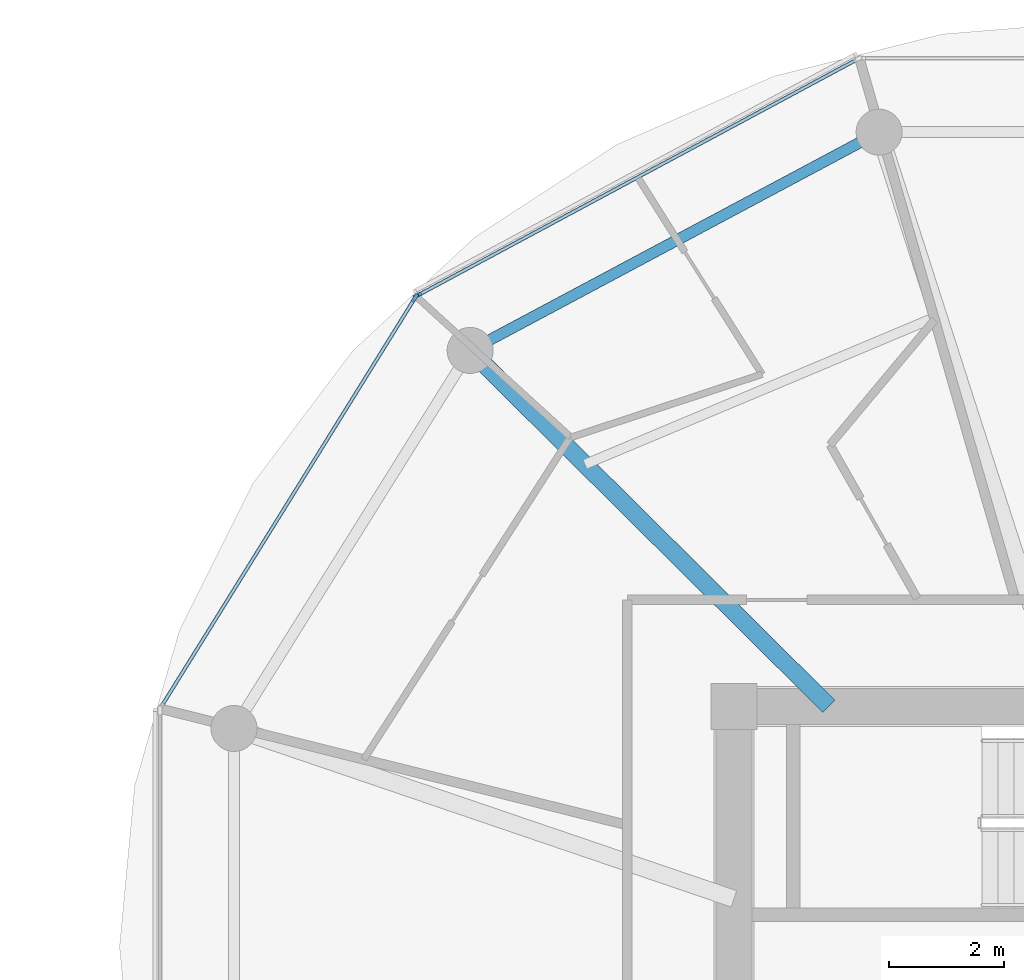
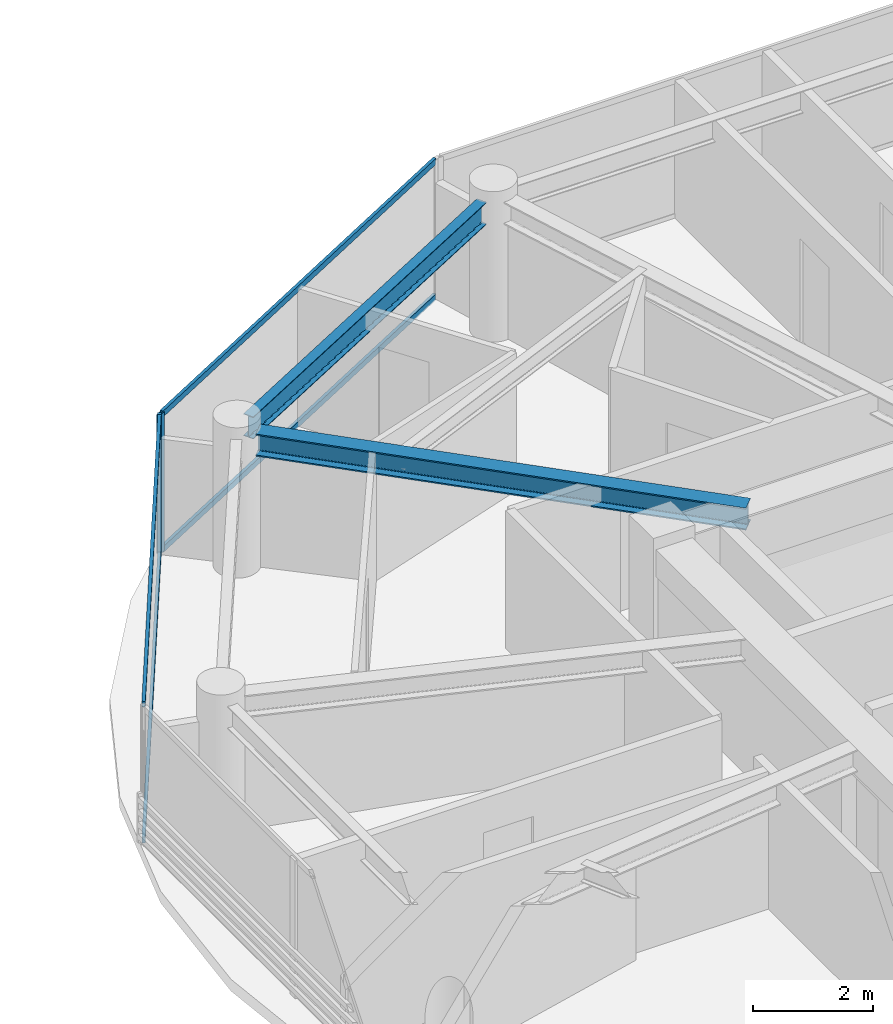
# One storey, part 8 of 23: 6 members, 2 beams, 2 elements without a shape of their own.
"""IFC4 building model written with IfcOpenShell, lengths in metres."""

from ifc_helpers import new_model, si_unit, direction, frame, origin, origin_2d, place, context, subcontext, project, spatial, rectangle, i_section, extrude, source, transform, mapped, material, layer, layer_set, material_profile, profile_set, type_object, type_shapes, element, aggregate, save


model = new_model("IFC4")

# Units and contexts
model_context = context("Model", 3, precision=1e-05, world=origin(), true_north=direction((0.0, 1.0)))
body_context = subcontext(model_context, "Body", "Model", "MODEL_VIEW")
ifc_project = project(units=[si_unit("LENGTHUNIT", "METRE"), si_unit("AREAUNIT", "SQUARE_METRE"), si_unit("VOLUMEUNIT", "CUBIC_METRE"), si_unit("PLANEANGLEUNIT", "RADIAN"), si_unit("MASSUNIT", "GRAM", prefix="KILO")], contexts=[model_context])

# Site, building, storey
site_placement = place(None, origin())
site = spatial("IfcSite", under=ifc_project, at=site_placement, CompositionType="ELEMENT")
building_placement = place(site_placement, origin())
building = spatial("IfcBuilding", under=site, at=building_placement, Name="Norrkilde Senior Care Towers", CompositionType="ELEMENT")
storey_placement = place(building_placement, frame((0.0, 0.0, 158.699951171875)))
storey = spatial("IfcBuildingStorey", under=building, at=storey_placement, Name="L49", CompositionType="ELEMENT", Elevation=158.699951171875)

# Beams
ifc_material_1 = material(Name="Steel S355", Category="steel")
ifc_material_profile_1 = material_profile(ifc_material_1, i_section(OverallWidth=0.18994140625, OverallDepth=0.449951171875, WebThickness=0.009521484375, FlangeThickness=0.0146484375, FilletRadius=0.02099609375, at=origin_2d()), Name="IPE 450")
ifc_profile_set_1 = profile_set([ifc_material_profile_1], Name="Steel S355")
beam_type_1 = type_object("IfcBeamType", Name="Perimeter Ring Spandrel Z3 IPE450", PredefinedType="SPANDREL", material=ifc_profile_set_1)
shared_shape_1 = source(origin(), body_context, "Body", "SweptSolid", [
    extrude(i_section(OverallWidth=0.18994140625, OverallDepth=0.449951171875, WebThickness=0.009521484375, FlangeThickness=0.0146484375, FilletRadius=0.02099609375, at=origin_2d()), origin(), (0.0, 0.0, 1.0), 7.333740234375),
])
type_shapes(beam_type_1, [shared_shape_1])
beam_1_placement = place(storey_placement, frame((22.55517578125, 15.756591796875, 2.5849609375), z_axis=(-0.882247866069, -0.470785198172, 0.0), x_axis=(0.470785198172, -0.882247866069, 0.0)))
element("IfcBeam", 1, at=beam_1_placement, inside=storey, type_object=beam_type_1, Name="L49 Drum E Perimeter Spandrel 04", PredefinedType="SPANDREL", context=body_context, shape_type="MappedRepresentation", body=[
    mapped(shared_shape_1, transform((0.0, 0.0, 0.0), x_axis=(1.0, 0.0, 0.0), y_axis=(0.0, 1.0, 0.0), z_axis=(0.0, 0.0, 1.0), scale=1.0)),
])
ifc_material_profile_2 = material_profile(ifc_material_1, i_section(OverallWidth=0.300048828125, OverallDepth=0.449951171875, WebThickness=0.013916015625, FlangeThickness=0.02587890625, FilletRadius=0.027099609375, at=origin_2d()), Name="HEB 450")
ifc_profile_set_2 = profile_set([ifc_material_profile_2], Name="Steel S355")
beam_type_2 = type_object("IfcBeamType", Name="Radial Floor Beam Z3 HEB450", PredefinedType="BEAM", material=ifc_profile_set_2)
shared_shape_2 = source(origin(), body_context, "Body", "SweptSolid", [
    extrude(i_section(OverallWidth=0.300048828125, OverallDepth=0.449951171875, WebThickness=0.013916015625, FlangeThickness=0.02587890625, FilletRadius=0.027099609375, at=origin_2d()), origin(), (0.0, 0.0, 1.0), 8.421630859375),
])
type_shapes(beam_type_2, [shared_shape_2])
beam_2_placement = place(storey_placement, frame((22.001953125, 5.949951171875, 2.5849609375), z_axis=(-0.709956495972, 0.704245535184, 0.0), x_axis=(-0.704245535184, -0.709956495972, 0.0)))
element("IfcBeam", 2, at=beam_2_placement, inside=storey, type_object=beam_type_2, Name="L49 Drum E Radial Floor Beam 05", PredefinedType="BEAM", context=body_context, shape_type="MappedRepresentation", body=[
    mapped(shared_shape_2, transform((0.0, 0.0, 0.0), x_axis=(1.0, 0.0, 0.0), y_axis=(0.0, 1.0, 0.0), z_axis=(0.0, 0.0, 1.0), scale=1.0)),
])

# Curtain wall, member
ifc_material_2 = material(Name="Triple Low-E Insulated Glazing", Category="glass")
ifc_layer = layer(ifc_material_2, 0.18994140625)
ifc_layer_set = layer_set([ifc_layer], Name="Triple Low-E Insulated Glazing")
curtain_wall_type = type_object("IfcCurtainWallType", Name="CW4 Zone 3 Senior Residence Curtain Wall", PredefinedType="NOTDEFINED", material=ifc_layer_set)
curtain_wall_1_placement = place(storey_placement, origin())
curtain_wall_1 = element("IfcCurtainWall", 3, at=curtain_wall_1_placement, inside=storey, type_object=curtain_wall_type, Name="L49 Drum E Curtain Wall 03", PredefinedType="NOTDEFINED")
ifc_material_3 = material(Name="Anodised Aluminium", Category="aluminium")
ifc_material_profile_3 = material_profile(ifc_material_3, rectangle(XDim=0.06494140625, YDim=0.14990234375, at=origin_2d()), Name="ALU MULL 65x150")
ifc_profile_set_3 = profile_set([ifc_material_profile_3], Name="Anodised Aluminium")
member_type_1 = type_object("IfcMemberType", Name="Curtain Wall Mullion Z3-Z4 65x150", PredefinedType="MULLION", material=ifc_profile_set_3)
shared_shape_3 = source(origin(), body_context, "Body", "SweptSolid", [
    extrude(rectangle(XDim=0.06494140625, YDim=0.14990234375, at=origin_2d()), origin(), (0.0, 0.0, 1.0), 2.81005859375),
])
type_shapes(member_type_1, [shared_shape_3])
member_1_placement = place(storey_placement, frame((14.85546875, 13.09033203125, 0.0), z_axis=(0.0, 0.0, 1.0), x_axis=(-0.47311715104, 0.880999524059, 0.0)))
member_1 = element("IfcMember", 4, at=member_1_placement, type_object=member_type_1, Name="CW-4 mullion 1", PredefinedType="MULLION", context=body_context, shape_type="MappedRepresentation", body=[
    mapped(shared_shape_3, transform((0.0, 0.0, 0.0), x_axis=(1.0, 0.0, 0.0), y_axis=(0.0, 1.0, 0.0), z_axis=(0.0, 0.0, 1.0), scale=1.0)),
])

# Curtain wall, members
curtain_wall_2_placement = place(storey_placement, origin())
curtain_wall_2 = element("IfcCurtainWall", 5, at=curtain_wall_2_placement, inside=storey, type_object=curtain_wall_type, Name="L49 Drum E Curtain Wall 04", PredefinedType="NOTDEFINED")
member_2_placement = place(storey_placement, frame((14.809814453125, 13.04736328125, 0.0), z_axis=(0.0, 0.0, 1.0), x_axis=(-0.84963405474, 0.52737270789, 0.0)))
member_2 = element("IfcMember", 6, at=member_2_placement, type_object=member_type_1, Name="CW-4 mullion 2", PredefinedType="MULLION", context=body_context, shape_type="MappedRepresentation", body=[
    mapped(shared_shape_3, transform((0.0, 0.0, 0.0), x_axis=(1.0, 0.0, 0.0), y_axis=(0.0, 1.0, 0.0), z_axis=(0.0, 0.0, 1.0), scale=1.0)),
])
ifc_material_profile_4 = material_profile(ifc_material_3, rectangle(XDim=0.06005859375, YDim=0.1201171875, at=origin_2d()), Name="ALU TRAN 60x120")
ifc_profile_set_4 = profile_set([ifc_material_profile_4], Name="Anodised Aluminium")
member_type_2 = type_object("IfcMemberType", Name="Curtain Wall Transom Typical 60x120", PredefinedType="USERDEFINED", material=ifc_profile_set_4)
shared_shape_4 = source(origin(), body_context, "Body", "SweptSolid", [
    extrude(rectangle(XDim=0.06005859375, YDim=0.1201171875, at=origin_2d()), origin(), (0.0, 0.0, 1.0), 8.301513671875),
])
member_3_placement = place(storey_placement, frame((10.414794921875, 5.966552734375, 0.030029296875), z_axis=(0.527368718394, 0.849636531029, 0.0), x_axis=(-0.849636531029, 0.527368718394, 0.0)))
member_3 = element("IfcMember", 7, at=member_3_placement, type_object=member_type_2, Name="CW-4 transom 1.1", ObjectType="TRANSOM", PredefinedType="USERDEFINED", context=body_context, shape_type="MappedRepresentation", body=[
    mapped(shared_shape_4, transform((0.0, 0.0, 0.0), x_axis=(1.0, 0.0, 0.0), y_axis=(0.0, 1.0, 0.0), z_axis=(0.0, 0.0, 1.0), scale=1.0)),
])
member_4_placement = place(storey_placement, frame((10.414794921875, 5.966552734375, 2.780029296875), z_axis=(0.527368718394, 0.849636531029, 0.0), x_axis=(-0.849636531029, 0.527368718394, 0.0)))
member_4 = element("IfcMember", 8, at=member_4_placement, type_object=member_type_2, Name="CW-4 transom 1.2", ObjectType="TRANSOM", PredefinedType="USERDEFINED", context=body_context, shape_type="MappedRepresentation", body=[
    mapped(shared_shape_4, transform((0.0, 0.0, 0.0), x_axis=(1.0, 0.0, 0.0), y_axis=(0.0, 1.0, 0.0), z_axis=(0.0, 0.0, 1.0), scale=1.0)),
])
aggregate(curtain_wall_2, [member_2, member_3, member_4])

# Member
shared_shape_5 = source(origin(), body_context, "Body", "SweptSolid", [
    extrude(rectangle(XDim=0.06005859375, YDim=0.1201171875, at=origin_2d()), origin(), (0.0, 0.0, 1.0), 8.61181640625),
])
type_shapes(member_type_2, [shared_shape_4, shared_shape_5])
member_5_placement = place(storey_placement, frame((14.88427734375, 13.105712890625, 0.030029296875), z_axis=(0.880993991641, 0.473127452906, 0.0), x_axis=(-0.473127452906, 0.880993991641, 0.0)))
member_5 = element("IfcMember", 9, at=member_5_placement, type_object=member_type_2, Name="CW-4 transom 1.1", ObjectType="TRANSOM", PredefinedType="USERDEFINED", context=body_context, shape_type="MappedRepresentation", body=[
    mapped(shared_shape_5, transform((0.0, 0.0, 0.0), x_axis=(1.0, 0.0, 0.0), y_axis=(0.0, 1.0, 0.0), z_axis=(0.0, 0.0, 1.0), scale=1.0)),
])

member_6_placement = place(storey_placement, frame((14.88427734375, 13.105712890625, 2.780029296875), z_axis=(0.880993991641, 0.473127452906, 0.0), x_axis=(-0.473127452906, 0.880993991641, 0.0)))
member_6 = element("IfcMember", 10, at=member_6_placement, type_object=member_type_2, Name="CW-4 transom 1.2", ObjectType="TRANSOM", PredefinedType="USERDEFINED", context=body_context, shape_type="MappedRepresentation", body=[
    mapped(shared_shape_5, transform((0.0, 0.0, 0.0), x_axis=(1.0, 0.0, 0.0), y_axis=(0.0, 1.0, 0.0), z_axis=(0.0, 0.0, 1.0), scale=1.0)),
])

aggregate(curtain_wall_1, [member_1, member_5, member_6])

save(model, "model.ifc")
